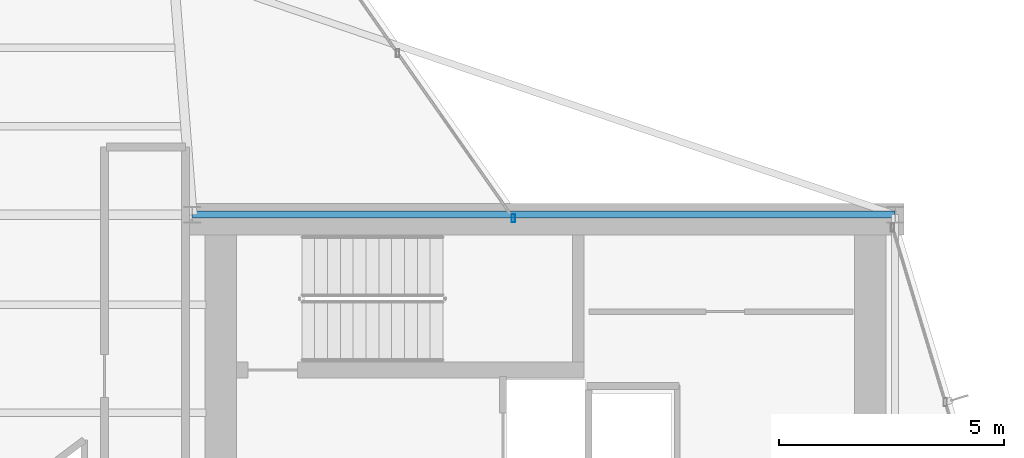
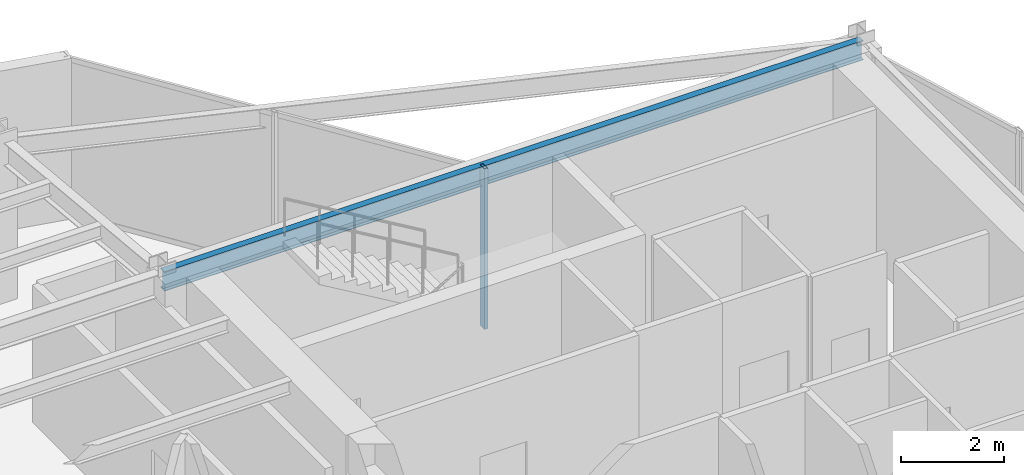
# One storey, part 15 of 22: 1 beam, 1 member, 1 element without a shape of its own.
"""IFC4 building model written with IfcOpenShell, lengths in metres."""

from ifc_helpers import new_model, si_unit, direction, frame, origin, origin_2d, place, context, subcontext, project, spatial, hollow_rectangle, i_section, extrude, material, layer, layer_set, material_profile, profile_set, type_object, element, aggregate, save


model = new_model("IFC4")

# Units and contexts
model_context = context("Model", 3, precision=1e-05, world=origin(), true_north=direction((0.0, 1.0)))
body_context = subcontext(model_context, "Body", "Model", "MODEL_VIEW")
ifc_project = project(units=[si_unit("LENGTHUNIT", "METRE"), si_unit("AREAUNIT", "SQUARE_METRE"), si_unit("VOLUMEUNIT", "CUBIC_METRE"), si_unit("PLANEANGLEUNIT", "RADIAN"), si_unit("MASSUNIT", "GRAM", prefix="KILO")], contexts=[model_context])

# Site, building, storey
site_placement = place(None, origin())
site = spatial("IfcSite", under=ifc_project, at=site_placement, CompositionType="ELEMENT")
building_placement = place(site_placement, origin())
building = spatial("IfcBuilding", under=site, at=building_placement, Name="Veymaron Broadcast Tower", CompositionType="ELEMENT")
storey_placement = place(building_placement, frame((0.0, 0.0, 216.14990234375)))
storey = spatial("IfcBuildingStorey", under=building, at=storey_placement, Name="L50", CompositionType="ELEMENT", Elevation=216.14990234375)

# Beam
ifc_material_1 = material(Name="Structural steel ASTM A992 Gr 50", Category="steel")
ifc_material_profile_1 = material_profile(ifc_material_1, i_section(OverallWidth=0.154052734375, OverallDepth=0.458984375, WebThickness=0.009033203125, FlangeThickness=0.015380859375, at=origin_2d()), Name="W460X68")
ifc_profile_set_1 = profile_set([ifc_material_profile_1], Name="Structural steel ASTM A992 Gr 50")
beam_type = type_object("IfcBeamType", Name="BM-SP2", PredefinedType="SPANDREL", material=ifc_profile_set_1)
beam_placement = place(storey_placement, frame((39.0, 32.0, 3.560546875), z_axis=(1.0, 0.0, 0.0), x_axis=(0.0, 1.0, 0.0)))
element("IfcBeam", 1, at=beam_placement, inside=storey, type_object=beam_type, Name="L50 primary structural floor girder", PredefinedType="SPANDREL", context=body_context, shape_type="SweptSolid", body=[
    extrude(i_section(OverallWidth=0.154052734375, OverallDepth=0.458984375, WebThickness=0.009033203125, FlangeThickness=0.015380859375, at=origin_2d()), origin(), (0.0, 0.0, 1.0), 15.60009765625),
])

# Curtain wall, member
ifc_material_2 = material(Name="Anodised aluminium AA 6063-T6 and laminated low-E dark glass", Category="aluminium")
ifc_layer = layer(ifc_material_2, 0.179931640625)
ifc_layer_set = layer_set([ifc_layer], Name="Anodised aluminium AA 6063-T6 and laminated low-E dark glass")
curtain_wall_type = type_object("IfcCurtainWallType", Name="CW-SYS-05", PredefinedType="NOTDEFINED", material=ifc_layer_set)
curtain_wall_placement = place(storey_placement, origin())
curtain_wall = element("IfcCurtainWall", 2, at=curtain_wall_placement, inside=storey, type_object=curtain_wall_type, Name="L50 dark-glass curtain wall CW-L50-E5-1", PredefinedType="NOTDEFINED")
ifc_material_3 = material(Name="Anodised aluminium AA 6063-T6", Category="aluminium")
ifc_material_profile_2 = material_profile(ifc_material_3, hollow_rectangle(XDim=0.074951171875, YDim=0.179931640625, WallThickness=0.0048828125, at=origin_2d()), Name="AL180X75X5")
ifc_profile_set_2 = profile_set([ifc_material_profile_2], Name="Anodised aluminium AA 6063-T6")
member_type = type_object("IfcMemberType", Name="CW-MUL-02", PredefinedType="MULLION", material=ifc_profile_set_2)
member_placement = place(storey_placement, frame((46.124755859375, 31.919677734375, 0.0), z_axis=(0.0, 0.0, 1.0), x_axis=(1.0, 0.0, 0.0)))
member = element("IfcMember", 3, at=member_placement, type_object=member_type, Name="CW-L50-E5-1 mullion 0", PredefinedType="MULLION", context=body_context, shape_type="SweptSolid", body=[
    extrude(hollow_rectangle(XDim=0.074951171875, YDim=0.179931640625, WallThickness=0.0048828125, at=origin_2d()), origin(), (0.0, 0.0, 1.0), 3.7900390625),
])
aggregate(curtain_wall, [member])

save(model, "model.ifc")
